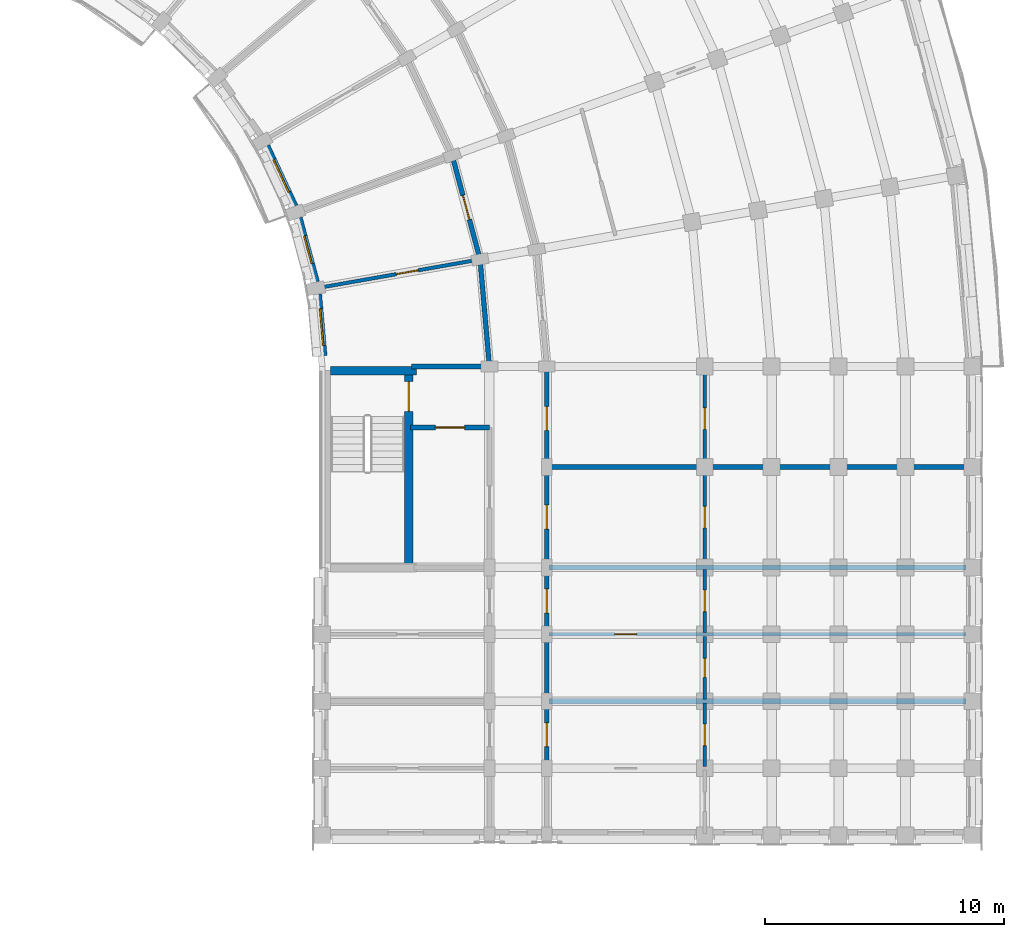
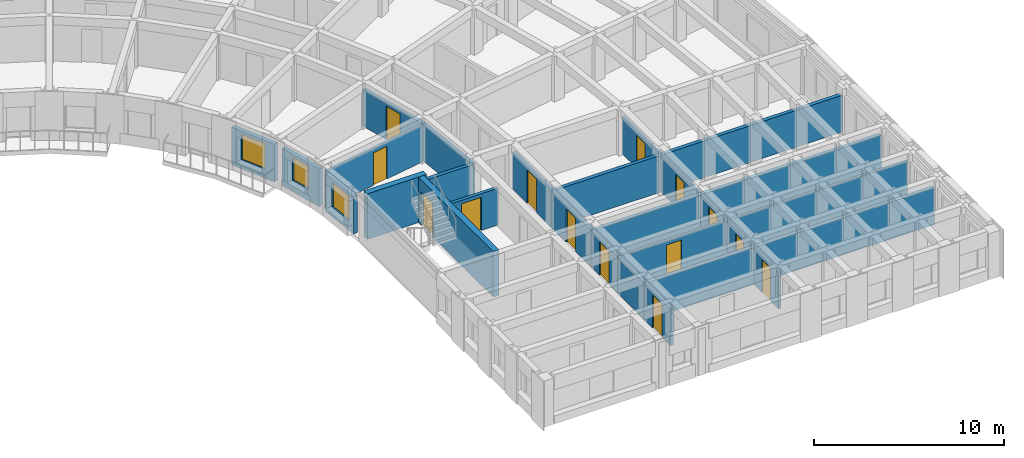
# One storey, part 35 of 57: 24 walls, 14 doors, 3 windows, 17 openings.
"""IFC4 building model written with IfcOpenShell, lengths in metres."""

from ifc_helpers import new_model, si_unit, direction, frame, frame_2d, origin, place, context, subcontext, project, spatial, rectangle, extrude, material, layer, layer_set, type_object, element, fill, save


model = new_model("IFC4")

# Units and contexts
model_context = context("Model", 3, precision=1e-05, world=origin(), true_north=direction((0.0, 1.0)))
body_context = subcontext(model_context, "Body", "Model", "MODEL_VIEW")
ifc_project = project(units=[si_unit("LENGTHUNIT", "METRE"), si_unit("AREAUNIT", "SQUARE_METRE"), si_unit("VOLUMEUNIT", "CUBIC_METRE"), si_unit("PLANEANGLEUNIT", "RADIAN"), si_unit("MASSUNIT", "GRAM", prefix="KILO")], contexts=[model_context])

# Site, building, storey
site_placement = place(None, origin())
site = spatial("IfcSite", under=ifc_project, at=site_placement, CompositionType="ELEMENT")
building_placement = place(site_placement, origin())
building = spatial("IfcBuilding", under=site, at=building_placement, Name="Kiranvali Square Residences", CompositionType="ELEMENT")
storey_placement = place(building_placement, frame((0.0, 0.0, 24.449951171875)))
storey = spatial("IfcBuildingStorey", under=building, at=storey_placement, Name="L07", CompositionType="ELEMENT", Elevation=24.449951171875)

# Wall, opening, door
ifc_material_1 = material(Name="Autoclaved aerated concrete blockwork masonry", Category="masonry")
ifc_layer_1 = layer(ifc_material_1, 0.199951171875)
ifc_layer_set_1 = layer_set([ifc_layer_1], Name="Autoclaved aerated concrete blockwork masonry")
wall_type_1 = type_object("IfcWallType", Name="WL-COR-200", PredefinedType="STANDARD", material=ifc_layer_set_1)
wall_1_placement = place(storey_placement, frame((142.300048828125, 85.25, 0.0), z_axis=(0.0, 0.0, 1.0), x_axis=(1.0, 0.0, 0.0)))
wall_1 = element("IfcWall", 1, at=wall_1_placement, inside=storey, type_object=wall_type_1, Name="L07 architectural wall WL-L07-B-S3-V", PredefinedType="STANDARD", context=body_context, shape_type="SweptSolid", body=[
    extrude(rectangle(XDim=3.300048828125, YDim=0.199951171875, at=frame_2d((1.64990234375, 0.0))), origin(), (0.0, 0.0, 1.0), 2.3720703125),
])
opening_1_placement = place(wall_1_placement, frame((1.0400390625, 0.0, 0.0)))
opening_1 = element("IfcOpeningElement", 2, at=opening_1_placement, cuts=wall_1, Name="Opening FD-COR-60", PredefinedType="OPENING", context=body_context, shape_type="SweptSolid", body=[
    extrude(rectangle(XDim=1.219970703125, YDim=2.14990234375, at=frame_2d((0.60986328125, 1.074951171875))), frame((0.0, 0.10986328125, 0.0), z_axis=(0.0, -1.0, 0.0), x_axis=(1.0, 0.0, 0.0)), (0.0, 0.0, 1.0), 0.219970703125),
])
ifc_material_2 = material(Name="Fire-rated acoustic hardwood and mineral-core door assembly", Category="wood")
door_type_1 = type_object("IfcDoorType", Name="DR-FD60-1200", OperationType="NOTDEFINED", PredefinedType="DOOR", material=ifc_material_2)
door_1_placement = place(opening_1_placement, origin())
door_1 = element("IfcDoor", 3, at=door_1_placement, inside=storey, type_object=door_type_1, Name="L07 door DR-L07-1395 (DR-FD60-1200)", OperationType="SINGLE_SWING_LEFT", OverallHeight=2.14990234375, OverallWidth=1.219970703125, PredefinedType="DOOR", context=body_context, shape_type="SweptSolid", body=[
    extrude(rectangle(XDim=1.219970703125, YDim=2.14990234375, at=frame_2d((0.60986328125, 1.074951171875))), frame((0.0, 0.02490234375, 0.0), z_axis=(0.0, -1.0, 0.0), x_axis=(1.0, 0.0, 0.0)), (0.0, 0.0, 1.0), 0.050048828125),
])
fill(opening_1, door_1)

wall_2_placement = place(storey_placement, frame((144.044189453125, 96.6240234375, 0.0), z_axis=(0.0, 0.0, 1.0), x_axis=(0.258787642463, -0.965934240054, 0.0)))
wall_2 = element("IfcWall", 4, at=wall_2_placement, inside=storey, type_object=wall_type_1, Name="L07 architectural wall WL-L07-B-CCI-7", PredefinedType="STANDARD", context=body_context, shape_type="SweptSolid", body=[
    extrude(rectangle(XDim=4.497314453125, YDim=0.199951171875, at=frame_2d((2.24853515625, 0.0))), origin(), (0.0, 0.0, 1.0), 2.3720703125),
])
opening_2_placement = place(wall_2_placement, frame((1.728515625, 0.0, 0.0)))
opening_2 = element("IfcOpeningElement", 5, at=opening_2_placement, cuts=wall_2, Name="Opening FD-APT-60B", PredefinedType="OPENING", context=body_context, shape_type="SweptSolid", body=[
    extrude(rectangle(XDim=1.0400390625, YDim=2.14990234375, at=frame_2d((0.52001953125, 1.074951171875))), frame((0.0, 0.10986328125, 0.0), z_axis=(0.0, -1.0, 0.0), x_axis=(1.0, 0.0, 0.0)), (0.0, 0.0, 1.0), 0.219970703125),
])
door_type_2 = type_object("IfcDoorType", Name="DR-APT-1040", OperationType="NOTDEFINED", PredefinedType="DOOR", material=ifc_material_2)
door_2_placement = place(opening_2_placement, frame((1.0400390625, 0.0, 0.0), z_axis=(0.0, 0.0, 1.0), x_axis=(-1.0, 0.0, 0.0)))
door_2 = element("IfcDoor", 6, at=door_2_placement, inside=storey, type_object=door_type_2, Name="L07 door DR-L07-1434 (DR-APT-1040)", OperationType="SINGLE_SWING_RIGHT", OverallHeight=2.14990234375, OverallWidth=1.0400390625, PredefinedType="DOOR", context=body_context, shape_type="SweptSolid", body=[
    extrude(rectangle(XDim=1.0400390625, YDim=2.14990234375, at=frame_2d((0.52001953125, 1.074951171875))), frame((0.0, 0.02490234375, 0.0), z_axis=(0.0, -1.0, 0.0), x_axis=(1.0, 0.0, 0.0)), (0.0, 0.0, 1.0), 0.050048828125),
])
fill(opening_2, door_2)

# Wall
wall_3_placement = place(storey_placement, frame((145.2080078125, 92.280029296875, 0.0), z_axis=(0.0, 0.0, 1.0), x_axis=(0.087187153726, -0.996191949488, 0.0)))
element("IfcWall", 7, at=wall_3_placement, inside=storey, type_object=wall_type_1, Name="L07 architectural wall WL-L07-B-CCI-8", PredefinedType="STANDARD", context=body_context, shape_type="SweptSolid", body=[
    extrude(rectangle(XDim=4.4970703125, YDim=0.199951171875, at=frame_2d((2.24853515625, 0.0))), origin(), (0.0, 0.0, 1.0), 2.3720703125),
])

# Wall, opening, door
wall_4_placement = place(storey_placement, frame((148.0, 87.64990234375, 0.0), z_axis=(0.0, 0.0, 1.0), x_axis=(0.0, -1.0, 0.0)))
wall_4 = element("IfcWall", 8, at=wall_4_placement, inside=storey, type_object=wall_type_1, Name="L07 architectural wall WL-L07-B-A2CF-C0", PredefinedType="STANDARD", context=body_context, shape_type="SweptSolid", body=[
    extrude(rectangle(XDim=4.0498046875, YDim=0.199951171875, at=frame_2d((2.02490234375, 0.0))), origin(), (0.0, 0.0, 1.0), 2.3720703125),
])
opening_3_placement = place(wall_4_placement, frame((1.52490234375, 0.0, 0.0)))
opening_3 = element("IfcOpeningElement", 9, at=opening_3_placement, cuts=wall_4, Name="Opening FD-APT-60", PredefinedType="OPENING", context=body_context, shape_type="SweptSolid", body=[
    extrude(rectangle(XDim=1.0, YDim=2.14990234375, at=frame_2d((0.5, 1.074951171875))), frame((0.0, 0.10986328125, 0.0), z_axis=(0.0, -1.0, 0.0), x_axis=(1.0, 0.0, 0.0)), (0.0, 0.0, 1.0), 0.219970703125),
])
door_type_3 = type_object("IfcDoorType", Name="DR-APT-1000", OperationType="NOTDEFINED", PredefinedType="DOOR", material=ifc_material_2)
door_3_placement = place(opening_3_placement, origin())
door_3 = element("IfcDoor", 10, at=door_3_placement, inside=storey, type_object=door_type_3, Name="L07 door DR-L07-1435 (DR-APT-1000)", OperationType="SINGLE_SWING_LEFT", OverallHeight=2.14990234375, OverallWidth=1.0, PredefinedType="DOOR", context=body_context, shape_type="SweptSolid", body=[
    extrude(rectangle(XDim=1.0, YDim=2.14990234375, at=frame_2d((0.5, 1.074951171875))), frame((0.0, 0.02490234375, 0.0), z_axis=(0.0, -1.0, 0.0), x_axis=(1.0, 0.0, 0.0)), (0.0, 0.0, 1.0), 0.050048828125),
])
fill(opening_3, door_3)

wall_5_placement = place(storey_placement, frame((148.0, 83.60009765625, 0.0), z_axis=(0.0, 0.0, 1.0), x_axis=(0.0, -1.0, 0.0)))
wall_5 = element("IfcWall", 11, at=wall_5_placement, inside=storey, type_object=wall_type_1, Name="L07 architectural wall WL-L07-B-A2CF-C1", PredefinedType="STANDARD", context=body_context, shape_type="SweptSolid", body=[
    extrude(rectangle(XDim=4.2001953125, YDim=0.199951171875, at=frame_2d((2.10009765625, 0.0))), origin(), (0.0, 0.0, 1.0), 2.3720703125),
])
opening_4_placement = place(wall_5_placement, frame((1.60009765625, 0.0, 0.0)))
opening_4 = element("IfcOpeningElement", 12, at=opening_4_placement, cuts=wall_5, Name="Opening FD-APT-60", PredefinedType="OPENING", context=body_context, shape_type="SweptSolid", body=[
    extrude(rectangle(XDim=1.0, YDim=2.14990234375, at=frame_2d((0.5, 1.074951171875))), frame((0.0, 0.10986328125, 0.0), z_axis=(0.0, -1.0, 0.0), x_axis=(1.0, 0.0, 0.0)), (0.0, 0.0, 1.0), 0.219970703125),
])
door_4_placement = place(opening_4_placement, origin())
door_4 = element("IfcDoor", 13, at=door_4_placement, inside=storey, type_object=door_type_3, Name="L07 door DR-L07-1437 (DR-APT-1000)", OperationType="SINGLE_SWING_LEFT", OverallHeight=2.14990234375, OverallWidth=1.0, PredefinedType="DOOR", context=body_context, shape_type="SweptSolid", body=[
    extrude(rectangle(XDim=1.0, YDim=2.14990234375, at=frame_2d((0.5, 1.074951171875))), frame((0.0, 0.02490234375, 0.0), z_axis=(0.0, -1.0, 0.0), x_axis=(1.0, 0.0, 0.0)), (0.0, 0.0, 1.0), 0.050048828125),
])
fill(opening_4, door_4)

wall_6_placement = place(storey_placement, frame((148.0, 79.39990234375, 0.0), z_axis=(0.0, 0.0, 1.0), x_axis=(0.0, -1.0, 0.0)))
wall_6 = element("IfcWall", 14, at=wall_6_placement, inside=storey, type_object=wall_type_1, Name="L07 architectural wall WL-L07-B-A2CO-0", PredefinedType="STANDARD", context=body_context, shape_type="SweptSolid", body=[
    extrude(rectangle(XDim=2.7998046875, YDim=0.199951171875, at=frame_2d((1.39990234375, 0.0))), origin(), (0.0, 0.0, 1.0), 2.3720703125),
])
opening_5_placement = place(wall_6_placement, frame((0.89990234375, 0.0, 0.0)))
opening_5 = element("IfcOpeningElement", 15, at=opening_5_placement, cuts=wall_6, Name="Opening FD-APT-60", PredefinedType="OPENING", context=body_context, shape_type="SweptSolid", body=[
    extrude(rectangle(XDim=1.0, YDim=2.14990234375, at=frame_2d((0.5, 1.074951171875))), frame((0.0, 0.10986328125, 0.0), z_axis=(0.0, -1.0, 0.0), x_axis=(1.0, 0.0, 0.0)), (0.0, 0.0, 1.0), 0.219970703125),
])
door_5_placement = place(opening_5_placement, origin())
door_5 = element("IfcDoor", 16, at=door_5_placement, inside=storey, type_object=door_type_3, Name="L07 door DR-L07-1441 (DR-APT-1000)", OperationType="SINGLE_SWING_LEFT", OverallHeight=2.14990234375, OverallWidth=1.0, PredefinedType="DOOR", context=body_context, shape_type="SweptSolid", body=[
    extrude(rectangle(XDim=1.0, YDim=2.14990234375, at=frame_2d((0.5, 1.074951171875))), frame((0.0, 0.02490234375, 0.0), z_axis=(0.0, -1.0, 0.0), x_axis=(1.0, 0.0, 0.0)), (0.0, 0.0, 1.0), 0.050048828125),
])
fill(opening_5, door_5)

# Wall
wall_7_placement = place(storey_placement, frame((148.0, 76.60009765625, 0.0), z_axis=(0.0, 0.0, 1.0), x_axis=(0.0, -1.0, 0.0)))
element("IfcWall", 17, at=wall_7_placement, inside=storey, type_object=wall_type_1, Name="L07 architectural wall WL-L07-B-A2CO-1", PredefinedType="STANDARD", context=body_context, shape_type="SweptSolid", body=[
    extrude(rectangle(XDim=2.800048828125, YDim=0.199951171875, at=frame_2d((1.39990234375, 0.0))), origin(), (0.0, 0.0, 1.0), 2.3720703125),
])

# Wall, opening, door
wall_8_placement = place(storey_placement, frame((148.0, 73.800048828125, 0.0), z_axis=(0.0, 0.0, 1.0), x_axis=(0.0, -1.0, 0.0)))
wall_8 = element("IfcWall", 18, at=wall_8_placement, inside=storey, type_object=wall_type_1, Name="L07 architectural wall WL-L07-B-A2CO-2", PredefinedType="STANDARD", context=body_context, shape_type="SweptSolid", body=[
    extrude(rectangle(XDim=2.800048828125, YDim=0.199951171875, at=frame_2d((1.39990234375, 0.0))), origin(), (0.0, 0.0, 1.0), 2.3720703125),
])
opening_6_placement = place(wall_8_placement, frame((0.89990234375, 0.0, 0.0)))
opening_6 = element("IfcOpeningElement", 19, at=opening_6_placement, cuts=wall_8, Name="Opening FD-APT-60", PredefinedType="OPENING", context=body_context, shape_type="SweptSolid", body=[
    extrude(rectangle(XDim=1.0, YDim=2.14990234375, at=frame_2d((0.5, 1.074951171875))), frame((0.0, 0.10986328125, 0.0), z_axis=(0.0, -1.0, 0.0), x_axis=(1.0, 0.0, 0.0)), (0.0, 0.0, 1.0), 0.219970703125),
])
door_6_placement = place(opening_6_placement, origin())
door_6 = element("IfcDoor", 20, at=door_6_placement, inside=storey, type_object=door_type_3, Name="L07 door DR-L07-1447 (DR-APT-1000)", OperationType="SINGLE_SWING_LEFT", OverallHeight=2.14990234375, OverallWidth=1.0, PredefinedType="DOOR", context=body_context, shape_type="SweptSolid", body=[
    extrude(rectangle(XDim=1.0, YDim=2.14990234375, at=frame_2d((0.5, 1.074951171875))), frame((0.0, 0.02490234375, 0.0), z_axis=(0.0, -1.0, 0.0), x_axis=(1.0, 0.0, 0.0)), (0.0, 0.0, 1.0), 0.050048828125),
])
fill(opening_6, door_6)

# Walls
ifc_layer_2 = layer(ifc_material_1, 0.219970703125)
ifc_layer_set_2 = layer_set([ifc_layer_2], Name="Autoclaved aerated concrete blockwork masonry")
wall_type_2 = type_object("IfcWallType", Name="WL-DEM-220", PredefinedType="STANDARD", material=ifc_layer_set_2)
wall_9_placement = place(storey_placement, frame((142.35009765625, 87.800048828125, 0.0), z_axis=(0.0, 0.0, 1.0), x_axis=(1.0, 0.0, 0.0)))
element("IfcWall", 21, at=wall_9_placement, inside=storey, type_object=wall_type_2, Name="L07 architectural wall WL-L07-B-RADI-9", PredefinedType="STANDARD", context=body_context, shape_type="SweptSolid", body=[
    extrude(rectangle(XDim=3.199951171875, YDim=0.219970703125, at=frame_2d((1.60009765625, 0.0))), origin(), (0.0, 0.0, 1.0), 2.3720703125),
])
wall_10_placement = place(storey_placement, frame((148.050048828125, 83.60009765625, 0.0), z_axis=(0.0, 0.0, 1.0), x_axis=(1.0, 0.0, 0.0)))
element("IfcWall", 22, at=wall_10_placement, inside=storey, type_object=wall_type_2, Name="L07 architectural wall WL-L07-B-A2CF-MID", PredefinedType="STANDARD", context=body_context, shape_type="SweptSolid", body=[
    extrude(rectangle(XDim=17.530029296875, YDim=0.219970703125, at=frame_2d((8.76513671875, 0.0))), origin(), (0.0, 0.0, 1.0), 2.3720703125),
])
for number, where, z_axis, x_axis, name in (
    (23, (148.10009765625, 79.39990234375, 0.0), (0.0, 0.0, 1.0), (1.0, 0.0, 0.0), "L07 architectural wall WL-L07-B-A2TO-0"),
    (24, (148.10009765625, 73.800048828125, 0.0), (0.0, 0.0, 1.0), (1.0, 0.0, 0.0), "L07 architectural wall WL-L07-B-A2TO-2"),
):
    element("IfcWall", number, at=place(storey_placement, frame(where, z_axis=z_axis, x_axis=x_axis)), inside=storey, type_object=wall_type_2, Name=name, PredefinedType="STANDARD", context=body_context, shape_type="SweptSolid", body=[
        extrude(rectangle(XDim=17.419921875, YDim=0.219970703125, at=frame_2d((8.7099609375, 0.0))), origin(), (0.0, 0.0, 1.0), 2.3720703125),
    ])

# Wall, opening, window
ifc_material_3 = material(Name="Breathable lime-rendered clay brick masonry", Category="masonry")
ifc_layer_3 = layer(ifc_material_3, 0.25)
ifc_layer_set_3 = layer_set([ifc_layer_3], Name="Breathable lime-rendered clay brick masonry")
wall_type_3 = type_object("IfcWallType", Name="WL-EXT-250", PredefinedType="STANDARD", material=ifc_layer_set_3)
wall_11_placement = place(storey_placement, frame((136.3017578125, 97.02294921875, 0.0), z_axis=(0.0, 0.0, 1.0), x_axis=(0.422649007088, -0.906293449611, 0.0)))
wall_11 = element("IfcWall", 25, at=wall_11_placement, inside=storey, type_object=wall_type_3, Name="L07 exterior wall B-L07-GDN-06", PredefinedType="STANDARD", context=body_context, shape_type="SweptSolid", body=[
    extrude(rectangle(XDim=2.769775390625, YDim=0.25, at=frame_2d((1.384765625, 0.0))), origin(), (0.0, 0.0, 1.0), 2.422119140625),
])
opening_7_placement = place(wall_11_placement, frame((0.635009765625, 0.0, 0.572021484375)))
opening_7 = element("IfcOpeningElement", 26, at=opening_7_placement, cuts=wall_11, Name="Opening W-05", PredefinedType="OPENING", context=body_context, shape_type="SweptSolid", body=[
    extrude(rectangle(XDim=1.5, YDim=1.64990234375, at=frame_2d((0.75, 0.824951171875))), frame((0.0, 0.135009765625, 0.0), z_axis=(0.0, -1.0, 0.0), x_axis=(1.0, 0.0, 0.0)), (0.0, 0.0, 1.0), 0.27001953125),
])
ifc_material_4 = material(Name="Solar-control low-e double glazing", Category="glass")
window_type_1 = type_object("IfcWindowType", Name="WIN-RES-1500x1650", PartitioningType="DOUBLE_PANEL_VERTICAL", PredefinedType="WINDOW", material=ifc_material_4)
window_1_placement = place(opening_7_placement, origin())
window_1 = element("IfcWindow", 27, at=window_1_placement, inside=storey, type_object=window_type_1, Name="L07 recessed window B-L07-GDN-06", OverallHeight=1.64990234375, OverallWidth=1.5, PartitioningType="DOUBLE_PANEL_VERTICAL", PredefinedType="WINDOW", context=body_context, shape_type="SweptSolid", body=[
    extrude(rectangle(XDim=1.5, YDim=1.64990234375, at=frame_2d((0.75, 0.824951171875))), frame((0.0, 0.030029296875, 0.0), z_axis=(0.0, -1.0, 0.0), x_axis=(1.0, 0.0, 0.0)), (0.0, 0.0, 1.0), 0.06005859375),
])
fill(opening_7, window_1)

wall_12_placement = place(storey_placement, frame((137.652587890625, 94.017333984375, 0.0), z_axis=(0.0, 0.0, 1.0), x_axis=(0.25878161084, -0.965935855992, 0.0)))
wall_12 = element("IfcWall", 28, at=wall_12_placement, inside=storey, type_object=wall_type_3, Name="L07 exterior wall B-L07-GDN-07", PredefinedType="STANDARD", context=body_context, shape_type="SweptSolid", body=[
    extrude(rectangle(XDim=2.769775390625, YDim=0.25, at=frame_2d((1.384765625, 0.0))), origin(), (0.0, 0.0, 1.0), 2.422119140625),
])
opening_8_placement = place(wall_12_placement, frame((0.784912109375, 0.0, 0.721923828125)))
opening_8 = element("IfcOpeningElement", 29, at=opening_8_placement, cuts=wall_12, Name="Opening W-06", PredefinedType="OPENING", context=body_context, shape_type="SweptSolid", body=[
    extrude(rectangle(XDim=1.199951171875, YDim=1.5, at=frame_2d((0.60009765625, 0.75))), frame((0.0, 0.135009765625, 0.0), z_axis=(0.0, -1.0, 0.0), x_axis=(1.0, 0.0, 0.0)), (0.0, 0.0, 1.0), 0.27001953125),
])
window_type_2 = type_object("IfcWindowType", Name="WIN-RES-1200x1500", PartitioningType="SINGLE_PANEL", PredefinedType="WINDOW", material=ifc_material_4)
window_2_placement = place(opening_8_placement, origin())
window_2 = element("IfcWindow", 30, at=window_2_placement, inside=storey, type_object=window_type_2, Name="L07 recessed window B-L07-GDN-07", OverallHeight=1.5, OverallWidth=1.199951171875, PartitioningType="SINGLE_PANEL", PredefinedType="WINDOW", context=body_context, shape_type="SweptSolid", body=[
    extrude(rectangle(XDim=1.199951171875, YDim=1.5, at=frame_2d((0.60009765625, 0.75))), frame((0.0, 0.030029296875, 0.0), z_axis=(0.0, -1.0, 0.0), x_axis=(1.0, 0.0, 0.0)), (0.0, 0.0, 1.0), 0.06005859375),
])
fill(opening_8, window_2)

wall_13_placement = place(storey_placement, frame((138.4609375, 90.82275390625, 0.0), z_axis=(0.0, 0.0, 1.0), x_axis=(0.087229084652, -0.996188278786, 0.0)))
wall_13 = element("IfcWall", 31, at=wall_13_placement, inside=storey, type_object=wall_type_3, Name="L07 exterior wall B-L07-GDN-08", PredefinedType="STANDARD", context=body_context, shape_type="SweptSolid", body=[
    extrude(rectangle(XDim=2.583251953125, YDim=0.25, at=frame_2d((1.29150390625, 0.0))), origin(), (0.0, 0.0, 1.0), 2.422119140625),
])
opening_9_placement = place(wall_13_placement, frame((0.60986328125, 0.0, 0.6220703125)))
opening_9 = element("IfcOpeningElement", 32, at=opening_9_placement, cuts=wall_13, Name="Opening W-18", PredefinedType="OPENING", context=body_context, shape_type="SweptSolid", body=[
    extrude(rectangle(XDim=1.550048828125, YDim=1.60009765625, at=frame_2d((0.77490234375, 0.800048828125))), frame((0.0, 0.135009765625, 0.0), z_axis=(0.0, -1.0, 0.0), x_axis=(1.0, 0.0, 0.0)), (0.0, 0.0, 1.0), 0.27001953125),
])
window_type_3 = type_object("IfcWindowType", Name="WIN-GDN-1550x1600", PartitioningType="DOUBLE_PANEL_VERTICAL", PredefinedType="WINDOW", material=ifc_material_4)
window_3_placement = place(opening_9_placement, origin())
window_3 = element("IfcWindow", 33, at=window_3_placement, inside=storey, type_object=window_type_3, Name="L07 recessed window B-L07-GDN-08", OverallHeight=1.60009765625, OverallWidth=1.550048828125, PartitioningType="DOUBLE_PANEL_VERTICAL", PredefinedType="WINDOW", context=body_context, shape_type="SweptSolid", body=[
    extrude(rectangle(XDim=1.550048828125, YDim=1.60009765625, at=frame_2d((0.77490234375, 0.800048828125))), frame((0.0, 0.030029296875, 0.0), z_axis=(0.0, -1.0, 0.0), x_axis=(1.0, 0.0, 0.0)), (0.0, 0.0, 1.0), 0.06005859375),
])
fill(opening_9, window_3)

# Wall, opening, door
ifc_material_5 = material(Name="Acoustic gypsum board drylined partition", Category="gypsum")
ifc_layer_4 = layer(ifc_material_5, 0.14990234375)
ifc_layer_set_4 = layer_set([ifc_layer_4], Name="Acoustic gypsum board drylined partition")
wall_type_4 = type_object("IfcWallType", Name="WL-PRT-150", PredefinedType="PARTITIONING", material=ifc_layer_set_4)
wall_14_placement = place(storey_placement, frame((138.51123046875, 91.099365234375, 0.0), z_axis=(0.0, 0.0, 1.0), x_axis=(0.984807944945, 0.173647089161, 0.0)))
wall_14 = element("IfcWall", 34, at=wall_14_placement, inside=storey, type_object=wall_type_4, Name="L07 architectural wall WL-L07-B-RADI-8", PredefinedType="PARTITIONING", context=body_context, shape_type="SweptSolid", body=[
    extrude(rectangle(XDim=6.75, YDim=0.14990234375, at=frame_2d((3.375, 0.0))), origin(), (0.0, 0.0, 1.0), 2.3720703125),
])
opening_10_placement = place(wall_14_placement, frame((3.242431640625, 0.0, 0.0)))
opening_10 = element("IfcOpeningElement", 35, at=opening_10_placement, cuts=wall_14, Name="Opening ID-2", PredefinedType="OPENING", context=body_context, shape_type="SweptSolid", body=[
    extrude(rectangle(XDim=0.93994140625, YDim=2.10009765625, at=frame_2d((0.469970703125, 1.050048828125))), frame((0.0, 0.0849609375, 0.0), z_axis=(0.0, -1.0, 0.0), x_axis=(1.0, 0.0, 0.0)), (0.0, 0.0, 1.0), 0.169921875),
])
ifc_material_6 = material(Name="Solid seasoned teak hardwood joinery", Category="wood")
door_type_4 = type_object("IfcDoorType", Name="DR-INT-940", OperationType="NOTDEFINED", PredefinedType="DOOR", material=ifc_material_6)
door_7_placement = place(opening_10_placement, frame((0.93994140625, 0.0, 0.0), z_axis=(0.0, 0.0, 1.0), x_axis=(-1.0, 0.0, 0.0)))
door_7 = element("IfcDoor", 36, at=door_7_placement, inside=storey, type_object=door_type_4, Name="L07 door DR-L07-1422 (DR-INT-940)", OperationType="SINGLE_SWING_RIGHT", OverallHeight=2.10009765625, OverallWidth=0.93994140625, PredefinedType="DOOR", context=body_context, shape_type="SweptSolid", body=[
    extrude(rectangle(XDim=0.93994140625, YDim=2.10009765625, at=frame_2d((0.469970703125, 1.050048828125))), frame((0.0, 0.02490234375, 0.0), z_axis=(0.0, -1.0, 0.0), x_axis=(1.0, 0.0, 0.0)), (0.0, 0.0, 1.0), 0.050048828125),
])
fill(opening_10, door_7)

wall_15_placement = place(storey_placement, frame((154.60009765625, 87.570068359375, 0.0), z_axis=(0.0, 0.0, 1.0), x_axis=(0.0, -1.0, 0.0)))
wall_15 = element("IfcWall", 37, at=wall_15_placement, inside=storey, type_object=wall_type_4, Name="L07 architectural wall WL-L07-B-A2CF-SP0", PredefinedType="PARTITIONING", context=body_context, shape_type="SweptSolid", body=[
    extrude(rectangle(XDim=3.89013671875, YDim=0.14990234375, at=frame_2d((1.945068359375, 0.0))), origin(), (0.0, 0.0, 1.0), 2.3720703125),
])
opening_11_placement = place(wall_15_placement, frame((1.4951171875, 0.0, 0.0)))
opening_11 = element("IfcOpeningElement", 38, at=opening_11_placement, cuts=wall_15, Name="Opening ID-1", PredefinedType="OPENING", context=body_context, shape_type="SweptSolid", body=[
    extrude(rectangle(XDim=0.89990234375, YDim=2.10009765625, at=frame_2d((0.449951171875, 1.050048828125))), frame((0.0, 0.0849609375, 0.0), z_axis=(0.0, -1.0, 0.0), x_axis=(1.0, 0.0, 0.0)), (0.0, 0.0, 1.0), 0.169921875),
])
door_type_5 = type_object("IfcDoorType", Name="DR-INT-900", OperationType="NOTDEFINED", PredefinedType="DOOR", material=ifc_material_6)
door_8_placement = place(opening_11_placement, frame((0.89990234375, 0.0, 0.0), z_axis=(0.0, 0.0, 1.0), x_axis=(-1.0, 0.0, 0.0)))
door_8 = element("IfcDoor", 39, at=door_8_placement, inside=storey, type_object=door_type_5, Name="L07 door DR-L07-1436 (DR-INT-900)", OperationType="SINGLE_SWING_RIGHT", OverallHeight=2.10009765625, OverallWidth=0.89990234375, PredefinedType="DOOR", context=body_context, shape_type="SweptSolid", body=[
    extrude(rectangle(XDim=0.89990234375, YDim=2.10009765625, at=frame_2d((0.449951171875, 1.050048828125))), frame((0.0, 0.02490234375, 0.0), z_axis=(0.0, -1.0, 0.0), x_axis=(1.0, 0.0, 0.0)), (0.0, 0.0, 1.0), 0.050048828125),
])
fill(opening_11, door_8)

wall_16_placement = place(storey_placement, frame((154.60009765625, 83.52001953125, 0.0), z_axis=(0.0, 0.0, 1.0), x_axis=(0.0, -1.0, 0.0)))
wall_16 = element("IfcWall", 40, at=wall_16_placement, inside=storey, type_object=wall_type_4, Name="L07 architectural wall WL-L07-B-A2CF-SP1", PredefinedType="PARTITIONING", context=body_context, shape_type="SweptSolid", body=[
    extrude(rectangle(XDim=4.0400390625, YDim=0.14990234375, at=frame_2d((2.02001953125, 0.0))), origin(), (0.0, 0.0, 1.0), 2.3720703125),
])
opening_12_placement = place(wall_16_placement, frame((1.570068359375, 0.0, 0.0)))
opening_12 = element("IfcOpeningElement", 41, at=opening_12_placement, cuts=wall_16, Name="Opening ID-1", PredefinedType="OPENING", context=body_context, shape_type="SweptSolid", body=[
    extrude(rectangle(XDim=0.89990234375, YDim=2.10009765625, at=frame_2d((0.449951171875, 1.050048828125))), frame((0.0, 0.0849609375, 0.0), z_axis=(0.0, -1.0, 0.0), x_axis=(1.0, 0.0, 0.0)), (0.0, 0.0, 1.0), 0.169921875),
])
door_9_placement = place(opening_12_placement, frame((0.89990234375, 0.0, 0.0), z_axis=(0.0, 0.0, 1.0), x_axis=(-1.0, 0.0, 0.0)))
door_9 = element("IfcDoor", 42, at=door_9_placement, inside=storey, type_object=door_type_5, Name="L07 door DR-L07-1438 (DR-INT-900)", OperationType="SINGLE_SWING_RIGHT", OverallHeight=2.10009765625, OverallWidth=0.89990234375, PredefinedType="DOOR", context=body_context, shape_type="SweptSolid", body=[
    extrude(rectangle(XDim=0.89990234375, YDim=2.10009765625, at=frame_2d((0.449951171875, 1.050048828125))), frame((0.0, 0.02490234375, 0.0), z_axis=(0.0, -1.0, 0.0), x_axis=(1.0, 0.0, 0.0)), (0.0, 0.0, 1.0), 0.050048828125),
])
fill(opening_12, door_9)

wall_17_placement = place(storey_placement, frame((148.10009765625, 76.60009765625, 0.0), z_axis=(0.0, 0.0, 1.0), x_axis=(1.0, 0.0, 0.0)))
wall_17 = element("IfcWall", 43, at=wall_17_placement, inside=storey, type_object=wall_type_4, Name="L07 architectural wall WL-L07-B-A2TO-1", PredefinedType="PARTITIONING", context=body_context, shape_type="SweptSolid", body=[
    extrude(rectangle(XDim=17.419921875, YDim=0.14990234375, at=frame_2d((8.7099609375, 0.0))), origin(), (0.0, 0.0, 1.0), 2.3720703125),
])
opening_13_placement = place(wall_17_placement, frame((2.75, 0.0, 0.0)))
opening_13 = element("IfcOpeningElement", 44, at=opening_13_placement, cuts=wall_17, Name="Opening ID-1", PredefinedType="OPENING", context=body_context, shape_type="SweptSolid", body=[
    extrude(rectangle(XDim=0.89990234375, YDim=2.10009765625, at=frame_2d((0.449951171875, 1.050048828125))), frame((0.0, 0.0849609375, 0.0), z_axis=(0.0, -1.0, 0.0), x_axis=(1.0, 0.0, 0.0)), (0.0, 0.0, 1.0), 0.169921875),
])
door_10_placement = place(opening_13_placement, frame((0.89990234375, 0.0, 0.0), z_axis=(0.0, 0.0, 1.0), x_axis=(-1.0, 0.0, 0.0)))
door_10 = element("IfcDoor", 45, at=door_10_placement, inside=storey, type_object=door_type_5, Name="L07 door DR-L07-1444 (DR-INT-900)", OperationType="SINGLE_SWING_RIGHT", OverallHeight=2.10009765625, OverallWidth=0.89990234375, PredefinedType="DOOR", context=body_context, shape_type="SweptSolid", body=[
    extrude(rectangle(XDim=0.89990234375, YDim=2.10009765625, at=frame_2d((0.449951171875, 1.050048828125))), frame((0.0, 0.02490234375, 0.0), z_axis=(0.0, -1.0, 0.0), x_axis=(1.0, 0.0, 0.0)), (0.0, 0.0, 1.0), 0.050048828125),
])
fill(opening_13, door_10)

ifc_material_7 = material(Name="Concrete M45 (45 MPa)", Category="concrete")
ifc_layer_5 = layer(ifc_material_7, 0.320068359375)
ifc_layer_set_5 = layer_set([ifc_layer_5], Name="Concrete M45 (45 MPa)")
wall_type_5 = type_object("IfcWallType", Name="WL-SHR-320", PredefinedType="SHEAR", material=ifc_layer_set_5)
wall_18_placement = place(storey_placement, frame((142.22509765625, 87.449951171875, 0.0), z_axis=(0.0, 0.0, 1.0), x_axis=(0.0, -1.0, 0.0)))
wall_18 = element("IfcWall", 46, at=wall_18_placement, inside=storey, type_object=wall_type_5, Name="Block B core shear wall SW-B3-IN-L07", PredefinedType="SHEAR", context=body_context, shape_type="SweptSolid", body=[
    extrude(rectangle(XDim=7.89990234375, YDim=0.35009765625, at=frame_2d((3.949951171875, 0.0))), origin(), (0.0, 0.0, 1.0), 2.929931640625),
])
opening_14_placement = place(wall_18_placement, frame((0.280029296875, 0.0, 0.0)))
opening_14 = element("IfcOpeningElement", 47, at=opening_14_placement, cuts=wall_18, Name="Opening FD-ST-120", PredefinedType="OPENING", context=body_context, shape_type="SweptSolid", body=[
    extrude(rectangle(XDim=1.239990234375, YDim=2.14990234375, at=frame_2d((0.6201171875, 1.074951171875))), frame((0.0, 0.18505859375, 0.0), z_axis=(0.0, -1.0, 0.0), x_axis=(1.0, 0.0, 0.0)), (0.0, 0.0, 1.0), 0.3701171875),
])
door_type_6 = type_object("IfcDoorType", Name="DR-FD120-1200", OperationType="NOTDEFINED", PredefinedType="DOOR", material=ifc_material_2)
door_11_placement = place(opening_14_placement, frame((1.239990234375, 0.0, 0.0), z_axis=(0.0, 0.0, 1.0), x_axis=(-1.0, 0.0, 0.0)))
door_11 = element("IfcDoor", 48, at=door_11_placement, inside=storey, type_object=door_type_6, Name="L07 door DR-L07-1391 (DR-FD120-1200)", OperationType="SINGLE_SWING_LEFT", OverallHeight=2.14990234375, OverallWidth=1.239990234375, PredefinedType="DOOR", context=body_context, shape_type="SweptSolid", body=[
    extrude(rectangle(XDim=1.239990234375, YDim=2.14990234375, at=frame_2d((0.6201171875, 1.074951171875))), frame((0.0, 0.02490234375, 0.0), z_axis=(0.0, -1.0, 0.0), x_axis=(1.0, 0.0, 0.0)), (0.0, 0.0, 1.0), 0.050048828125),
])
fill(opening_14, door_11)

# Wall
wall_19_placement = place(storey_placement, frame((138.949951171875, 87.625, 0.0), z_axis=(0.0, 0.0, 1.0), x_axis=(1.0, 0.0, 0.0)))
element("IfcWall", 49, at=wall_19_placement, inside=storey, type_object=wall_type_5, Name="Block B core shear wall SW-B3-NEAR-L07", PredefinedType="SHEAR", context=body_context, shape_type="SweptSolid", body=[
    extrude(rectangle(XDim=3.60009765625, YDim=0.35009765625, at=frame_2d((1.800048828125, 0.0))), origin(), (0.0, 0.0, 1.0), 2.929931640625),
])

# Wall, opening, door
ifc_layer_6 = layer(ifc_material_1, 0.14990234375)
ifc_layer_set_6 = layer_set([ifc_layer_6], Name="Autoclaved aerated concrete blockwork masonry")
wall_type_6 = type_object("IfcWallType", Name="WL-WET-150", PredefinedType="PLUMBINGWALL", material=ifc_layer_set_6)
wall_20_placement = place(storey_placement, frame((154.60009765625, 79.320068359375, 0.0), z_axis=(0.0, 0.0, 1.0), x_axis=(0.0, -1.0, 0.0)))
wall_20 = element("IfcWall", 50, at=wall_20_placement, inside=storey, type_object=wall_type_6, Name="L07 architectural wall WL-L07-B-A2SP-0", PredefinedType="PLUMBINGWALL", context=body_context, shape_type="SweptSolid", body=[
    extrude(rectangle(XDim=2.64013671875, YDim=0.14990234375, at=frame_2d((1.320068359375, 0.0))), origin(), (0.0, 0.0, 1.0), 2.3720703125),
])
opening_15_placement = place(wall_20_placement, frame((0.8701171875, 0.0, 0.0)))
opening_15 = element("IfcOpeningElement", 51, at=opening_15_placement, cuts=wall_20, Name="Opening ID-1", PredefinedType="OPENING", context=body_context, shape_type="SweptSolid", body=[
    extrude(rectangle(XDim=0.89990234375, YDim=2.10009765625, at=frame_2d((0.449951171875, 1.050048828125))), frame((0.0, 0.0849609375, 0.0), z_axis=(0.0, -1.0, 0.0), x_axis=(1.0, 0.0, 0.0)), (0.0, 0.0, 1.0), 0.169921875),
])
door_12_placement = place(opening_15_placement, frame((0.89990234375, 0.0, 0.0), z_axis=(0.0, 0.0, 1.0), x_axis=(-1.0, 0.0, 0.0)))
door_12 = element("IfcDoor", 52, at=door_12_placement, inside=storey, type_object=door_type_5, Name="L07 door DR-L07-1440 (DR-INT-900)", OperationType="SINGLE_SWING_RIGHT", OverallHeight=2.10009765625, OverallWidth=0.89990234375, PredefinedType="DOOR", context=body_context, shape_type="SweptSolid", body=[
    extrude(rectangle(XDim=0.89990234375, YDim=2.10009765625, at=frame_2d((0.449951171875, 1.050048828125))), frame((0.0, 0.02490234375, 0.0), z_axis=(0.0, -1.0, 0.0), x_axis=(1.0, 0.0, 0.0)), (0.0, 0.0, 1.0), 0.050048828125),
])
fill(opening_15, door_12)

wall_21_placement = place(storey_placement, frame((154.60009765625, 76.52001953125, 0.0), z_axis=(0.0, 0.0, 1.0), x_axis=(0.0, -1.0, 0.0)))
wall_21 = element("IfcWall", 53, at=wall_21_placement, inside=storey, type_object=wall_type_6, Name="L07 architectural wall WL-L07-B-A2SP-1", PredefinedType="PLUMBINGWALL", context=body_context, shape_type="SweptSolid", body=[
    extrude(rectangle(XDim=2.64013671875, YDim=0.14990234375, at=frame_2d((1.320068359375, 0.0))), origin(), (0.0, 0.0, 1.0), 2.3720703125),
])
opening_16_placement = place(wall_21_placement, frame((0.919921875, 0.0, 0.0)))
opening_16 = element("IfcOpeningElement", 54, at=opening_16_placement, cuts=wall_21, Name="Opening ID-WET", PredefinedType="OPENING", context=body_context, shape_type="SweptSolid", body=[
    extrude(rectangle(XDim=0.800048828125, YDim=2.10009765625, at=frame_2d((0.39990234375, 1.050048828125))), frame((0.0, 0.0849609375, 0.0), z_axis=(0.0, -1.0, 0.0), x_axis=(1.0, 0.0, 0.0)), (0.0, 0.0, 1.0), 0.169921875),
])
door_type_7 = type_object("IfcDoorType", Name="DR-WET-800", OperationType="NOTDEFINED", PredefinedType="DOOR", material=ifc_material_6)
door_13_placement = place(opening_16_placement, frame((0.800048828125, 0.0, 0.0), z_axis=(0.0, 0.0, 1.0), x_axis=(-1.0, 0.0, 0.0)))
door_13 = element("IfcDoor", 55, at=door_13_placement, inside=storey, type_object=door_type_7, Name="L07 door DR-L07-1442 (DR-WET-800)", OperationType="SINGLE_SWING_RIGHT", OverallHeight=2.10009765625, OverallWidth=0.800048828125, PredefinedType="DOOR", context=body_context, shape_type="SweptSolid", body=[
    extrude(rectangle(XDim=0.800048828125, YDim=2.10009765625, at=frame_2d((0.39990234375, 1.050048828125))), frame((0.0, 0.02490234375, 0.0), z_axis=(0.0, -1.0, 0.0), x_axis=(1.0, 0.0, 0.0)), (0.0, 0.0, 1.0), 0.050048828125),
])
fill(opening_16, door_13)

wall_22_placement = place(storey_placement, frame((154.60009765625, 73.719970703125, 0.0), z_axis=(0.0, 0.0, 1.0), x_axis=(0.0, -1.0, 0.0)))
wall_22 = element("IfcWall", 56, at=wall_22_placement, inside=storey, type_object=wall_type_6, Name="L07 architectural wall WL-L07-B-A2SP-2", PredefinedType="PLUMBINGWALL", context=body_context, shape_type="SweptSolid", body=[
    extrude(rectangle(XDim=2.639892578125, YDim=0.14990234375, at=frame_2d((1.31982421875, 0.0))), origin(), (0.0, 0.0, 1.0), 2.3720703125),
])
opening_17_placement = place(wall_22_placement, frame((0.8701171875, 0.0, 0.0)))
opening_17 = element("IfcOpeningElement", 57, at=opening_17_placement, cuts=wall_22, Name="Opening ID-1", PredefinedType="OPENING", context=body_context, shape_type="SweptSolid", body=[
    extrude(rectangle(XDim=0.89990234375, YDim=2.10009765625, at=frame_2d((0.449951171875, 1.050048828125))), frame((0.0, 0.0849609375, 0.0), z_axis=(0.0, -1.0, 0.0), x_axis=(1.0, 0.0, 0.0)), (0.0, 0.0, 1.0), 0.169921875),
])
door_14_placement = place(opening_17_placement, frame((0.89990234375, 0.0, 0.0), z_axis=(0.0, 0.0, 1.0), x_axis=(-1.0, 0.0, 0.0)))
door_14 = element("IfcDoor", 58, at=door_14_placement, inside=storey, type_object=door_type_5, Name="L07 door DR-L07-1446 (DR-INT-900)", OperationType="SINGLE_SWING_RIGHT", OverallHeight=2.10009765625, OverallWidth=0.89990234375, PredefinedType="DOOR", context=body_context, shape_type="SweptSolid", body=[
    extrude(rectangle(XDim=0.89990234375, YDim=2.10009765625, at=frame_2d((0.449951171875, 1.050048828125))), frame((0.0, 0.02490234375, 0.0), z_axis=(0.0, -1.0, 0.0), x_axis=(1.0, 0.0, 0.0)), (0.0, 0.0, 1.0), 0.050048828125),
])
fill(opening_17, door_14)

save(model, "model.ifc")
